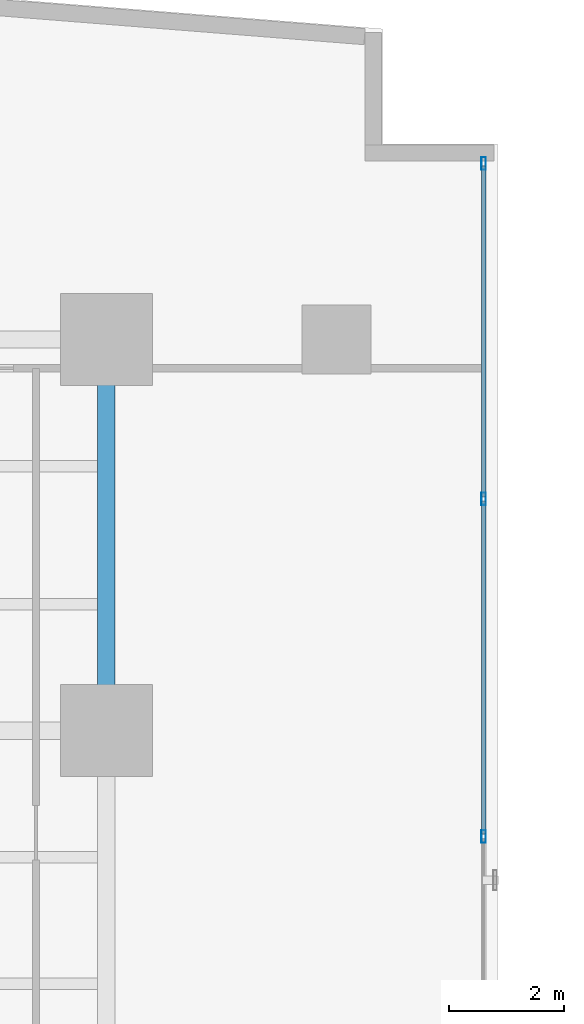
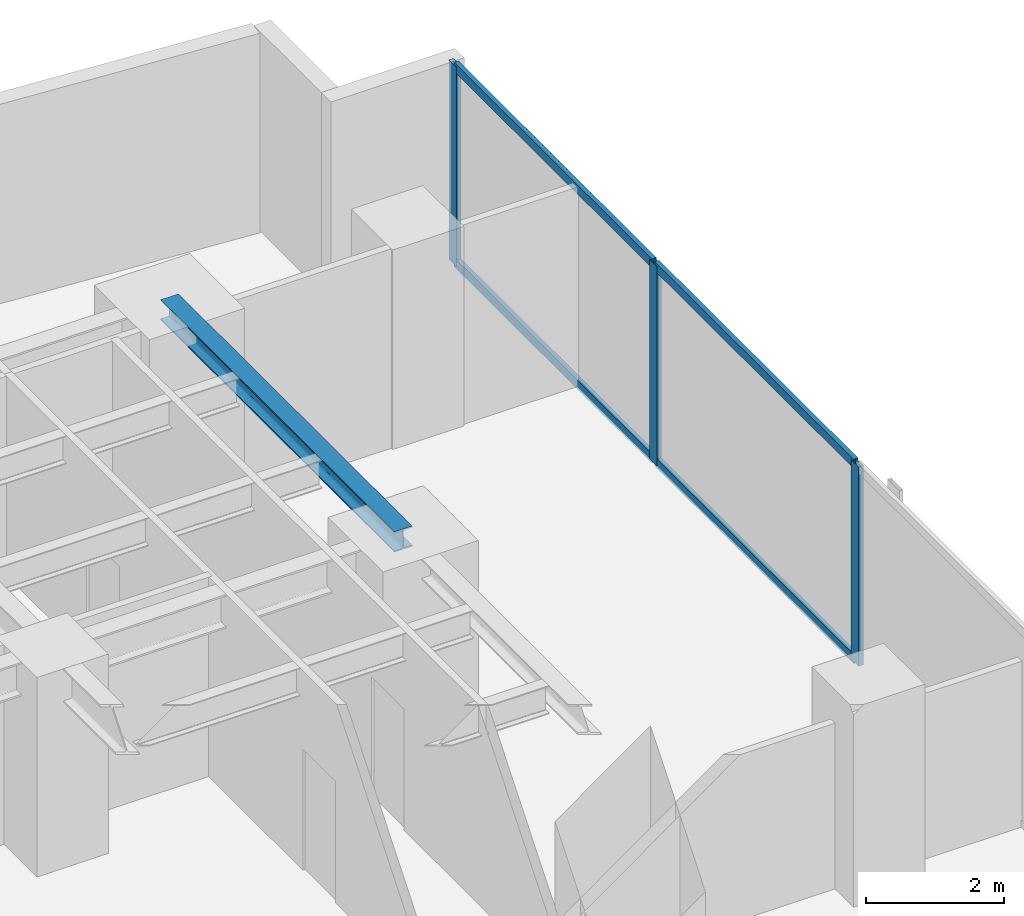
# One storey, part 19 of 27: 7 members, 1 beam, 1 element without a shape of its own.
"""IFC4 building model written with IfcOpenShell, lengths in metres."""

from ifc_helpers import new_model, si_unit, direction, frame, origin, origin_with_axes, origin_2d, place, context, subcontext, project, spatial, hollow_rectangle, i_section, extrude, source, transform, mapped, material, layer, layer_set, material_profile, profile_set, type_object, element, aggregate, save


model = new_model("IFC4")

# Units and contexts
model_context = context("Model", 3, precision=1e-05, world=origin(), true_north=direction((0.0, 1.0)))
body_context = subcontext(model_context, "Body", "Model", "MODEL_VIEW")
ifc_project = project(units=[si_unit("LENGTHUNIT", "METRE"), si_unit("AREAUNIT", "SQUARE_METRE"), si_unit("VOLUMEUNIT", "CUBIC_METRE"), si_unit("PLANEANGLEUNIT", "RADIAN"), si_unit("MASSUNIT", "GRAM", prefix="KILO")], contexts=[model_context])

# Site, building, storey
site_placement = place(None, origin())
site = spatial("IfcSite", under=ifc_project, at=site_placement, CompositionType="ELEMENT")
building_placement = place(site_placement, origin())
building = spatial("IfcBuilding", under=site, at=building_placement, Name="Kolvaren Waterfront Exchange", CompositionType="ELEMENT")
storey_placement = place(building_placement, frame((0.0, 0.0, 63.800048828125)))
storey = spatial("IfcBuildingStorey", under=building, at=storey_placement, Name="L16", CompositionType="ELEMENT", Elevation=63.800048828125)

# Beam
ifc_material_1 = material(Name="Steel S355", Category="steel")
ifc_material_profile_1 = material_profile(ifc_material_1, i_section(OverallWidth=0.300048828125, OverallDepth=0.360107421875, WebThickness=0.012451171875, FlangeThickness=0.0224609375, FilletRadius=0.027099609375, at=origin_2d()), Name="HEB360")
ifc_profile_set_1 = profile_set([ifc_material_profile_1], Name="Steel S355")
beam_type = type_object("IfcBeamType", Name="STR-BM-HEB360", PredefinedType="SPANDREL", material=ifc_profile_set_1)
beam_placement = place(storey_placement, frame((18.800048828125, 37.800048828125, 3.35986328125), z_axis=(0.0, 1.0, 0.0), x_axis=(-1.0, 0.0, 0.0)))
element("IfcBeam", 1, at=beam_placement, inside=storey, type_object=beam_type, Name="L16 north-arm edge beam 3", PredefinedType="SPANDREL", context=body_context, shape_type="SweptSolid", body=[
    extrude(i_section(OverallWidth=0.300048828125, OverallDepth=0.360107421875, WebThickness=0.012451171875, FlangeThickness=0.0224609375, FilletRadius=0.027099609375, at=origin_2d()), origin(), (0.0, 0.0, 1.0), 6.800048828125),
])

# Curtain wall, members
ifc_material_2 = material(Name="Anodised bronze aluminium 6063-T6", Category="aluminium")
ifc_layer = layer(ifc_material_2, 0.219970703125, Name="Anodised bronze aluminium 6063-T6")
ifc_layer_set = layer_set([ifc_layer], Name="Anodised bronze aluminium 6063-T6")
curtain_wall_type = type_object("IfcCurtainWallType", Name="ARC-CW-SYS1", PredefinedType="USERDEFINED", material=ifc_layer_set)
curtain_wall_placement = place(storey_placement, origin())
curtain_wall = element("IfcCurtainWall", 2, at=curtain_wall_placement, inside=storey, type_object=curtain_wall_type, Name="L16 stick curtain wall CW1 (CW-L16-NE)", ObjectType="STICK CURTAIN WALL", PredefinedType="USERDEFINED")
ifc_material_3 = material(Name="Anodised aluminium 6063-T6", Category="aluminium")
ifc_material_profile_2 = material_profile(ifc_material_3, hollow_rectangle(XDim=0.074951171875, YDim=0.159912109375, WallThickness=0.00439453125, at=origin_2d()), Name="ALU-TRN-160x75x4.5")
ifc_profile_set_2 = profile_set([ifc_material_profile_2], Name="Anodised aluminium 6063-T6")
member_type_1 = type_object("IfcMemberType", Name="ARC-CWT-160", PredefinedType="USERDEFINED", material=ifc_profile_set_2)
shared_shape_1 = source(origin_with_axes(), body_context, "Body", "SweptSolid", [
    extrude(hollow_rectangle(XDim=0.074951171875, YDim=0.159912109375, WallThickness=0.00439453125, at=origin_2d()), origin(), (0.0, 0.0, 1.0), 5.75),
])
member_1_placement = place(storey_placement, frame((25.360107421875, 41.8701171875, 0.037353515625), z_axis=(0.0, 1.0, 0.0), x_axis=(-1.0, 0.0, 0.0)))
member_1 = element("IfcMember", 3, at=member_1_placement, type_object=member_type_1, Name="CW1 transom 3.1", ObjectType="TRANSOM", PredefinedType="USERDEFINED", context=body_context, shape_type="MappedRepresentation", body=[
    mapped(shared_shape_1, transform((0.0, 0.0, 0.0), x_axis=(1.0, 0.0, 0.0), y_axis=(0.0, 1.0, 0.0), z_axis=(0.0, 0.0, 1.0), scale=1.0)),
])
member_2_placement = place(storey_placement, frame((25.360107421875, 41.8701171875, 3.50244140625), z_axis=(0.0, 1.0, 0.0), x_axis=(-1.0, 0.0, 0.0)))
member_2 = element("IfcMember", 4, at=member_2_placement, type_object=member_type_1, Name="CW1 transom 3.2", ObjectType="TRANSOM", PredefinedType="USERDEFINED", context=body_context, shape_type="MappedRepresentation", body=[
    mapped(shared_shape_1, transform((0.0, 0.0, 0.0), x_axis=(1.0, 0.0, 0.0), y_axis=(0.0, 1.0, 0.0), z_axis=(0.0, 0.0, 1.0), scale=1.0)),
])
shared_shape_2 = source(origin_with_axes(), body_context, "Body", "SweptSolid", [
    extrude(hollow_rectangle(XDim=0.074951171875, YDim=0.159912109375, WallThickness=0.00439453125, at=origin_2d()), origin(), (0.0, 0.0, 1.0), 5.7900390625),
])
member_3_placement = place(storey_placement, frame((25.360107421875, 36.0, 0.037353515625), z_axis=(0.0, 1.0, 0.0), x_axis=(-1.0, 0.0, 0.0)))
member_3 = element("IfcMember", 5, at=member_3_placement, type_object=member_type_1, Name="CW1 transom 2.1", ObjectType="TRANSOM", PredefinedType="USERDEFINED", context=body_context, shape_type="MappedRepresentation", body=[
    mapped(shared_shape_2, transform((0.0, 0.0, 0.0), x_axis=(1.0, 0.0, 0.0), y_axis=(0.0, 1.0, 0.0), z_axis=(0.0, 0.0, 1.0), scale=1.0)),
])
member_4_placement = place(storey_placement, frame((25.360107421875, 36.0, 3.50244140625), z_axis=(0.0, 1.0, 0.0), x_axis=(-1.0, 0.0, 0.0)))
member_4 = element("IfcMember", 6, at=member_4_placement, type_object=member_type_1, Name="CW1 transom 2.2", ObjectType="TRANSOM", PredefinedType="USERDEFINED", context=body_context, shape_type="MappedRepresentation", body=[
    mapped(shared_shape_2, transform((0.0, 0.0, 0.0), x_axis=(1.0, 0.0, 0.0), y_axis=(0.0, 1.0, 0.0), z_axis=(0.0, 0.0, 1.0), scale=1.0)),
])
ifc_material_profile_3 = material_profile(ifc_material_3, hollow_rectangle(XDim=0.080078125, YDim=0.219970703125, WallThickness=0.0048828125, at=origin_2d()), Name="ALU-MUL-220x80x5")
ifc_profile_set_3 = profile_set([ifc_material_profile_3], Name="Anodised aluminium 6063-T6")
member_type_2 = type_object("IfcMemberType", Name="ARC-CWM-220", PredefinedType="MULLION", material=ifc_profile_set_3)
shared_shape_3 = source(origin_with_axes(), body_context, "Body", "SweptSolid", [
    extrude(hollow_rectangle(XDim=0.080078125, YDim=0.219970703125, WallThickness=0.0048828125, at=origin_2d()), origin(), (0.0, 0.0, 1.0), 3.5400390625),
])
member_5_placement = place(storey_placement, frame((25.360107421875, 35.9599609375, 0.0), z_axis=(0.0, 0.0, 1.0), x_axis=(-1.0, 0.0, 0.0)))
member_5 = element("IfcMember", 7, at=member_5_placement, type_object=member_type_2, Name="CW1 mullion 2", PredefinedType="MULLION", context=body_context, shape_type="MappedRepresentation", body=[
    mapped(shared_shape_3, transform((0.0, 0.0, 0.0), x_axis=(1.0, 0.0, 0.0), y_axis=(0.0, 1.0, 0.0), z_axis=(0.0, 0.0, 1.0), scale=1.0)),
])
member_6_placement = place(storey_placement, frame((25.360107421875, 41.830078125, 0.0), z_axis=(0.0, 0.0, 1.0), x_axis=(-1.0, 0.0, 0.0)))
member_6 = element("IfcMember", 8, at=member_6_placement, type_object=member_type_2, Name="CW1 mullion 3", PredefinedType="MULLION", context=body_context, shape_type="MappedRepresentation", body=[
    mapped(shared_shape_3, transform((0.0, 0.0, 0.0), x_axis=(1.0, 0.0, 0.0), y_axis=(0.0, 1.0, 0.0), z_axis=(0.0, 0.0, 1.0), scale=1.0)),
])
member_7_placement = place(storey_placement, frame((25.360107421875, 47.659912109375, 0.0), z_axis=(0.0, 0.0, 1.0), x_axis=(-1.0, 0.0, 0.0)))
member_7 = element("IfcMember", 9, at=member_7_placement, type_object=member_type_2, Name="CW1 mullion 4", PredefinedType="MULLION", context=body_context, shape_type="MappedRepresentation", body=[
    mapped(shared_shape_3, transform((0.0, 0.0, 0.0), x_axis=(1.0, 0.0, 0.0), y_axis=(0.0, 1.0, 0.0), z_axis=(0.0, 0.0, 1.0), scale=1.0)),
])
aggregate(curtain_wall, [member_5, member_6, member_7, member_3, member_4, member_1, member_2])

save(model, "model.ifc")
